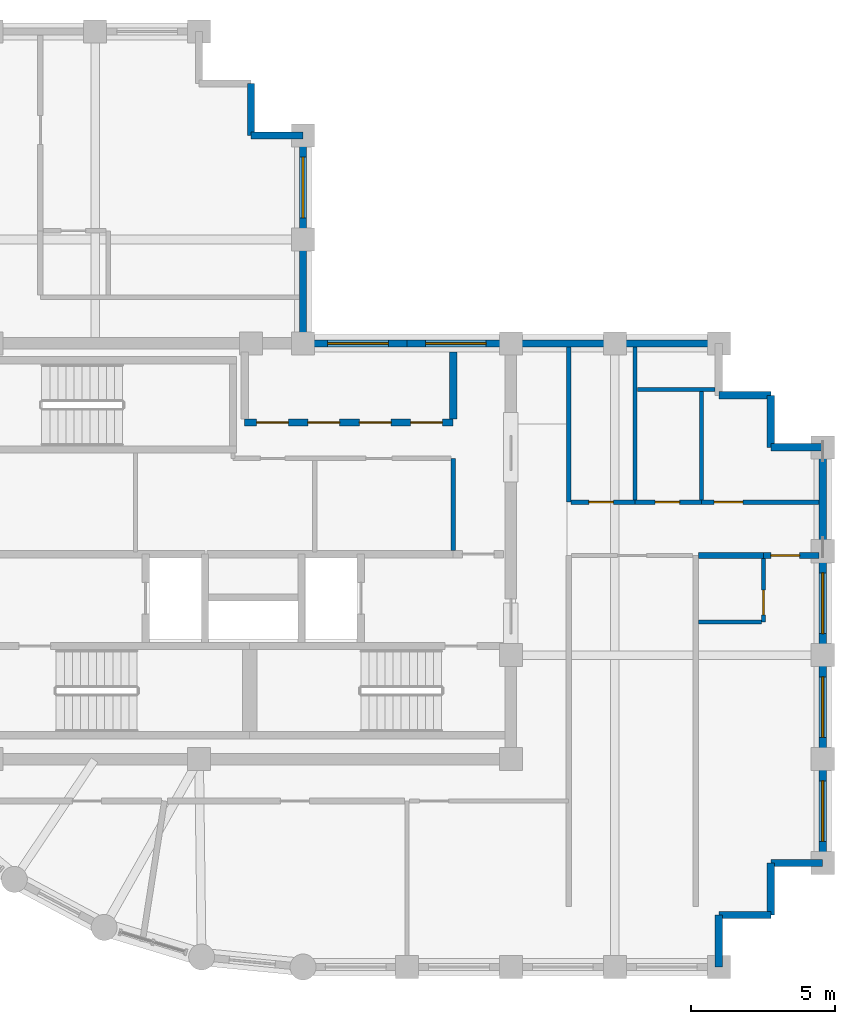
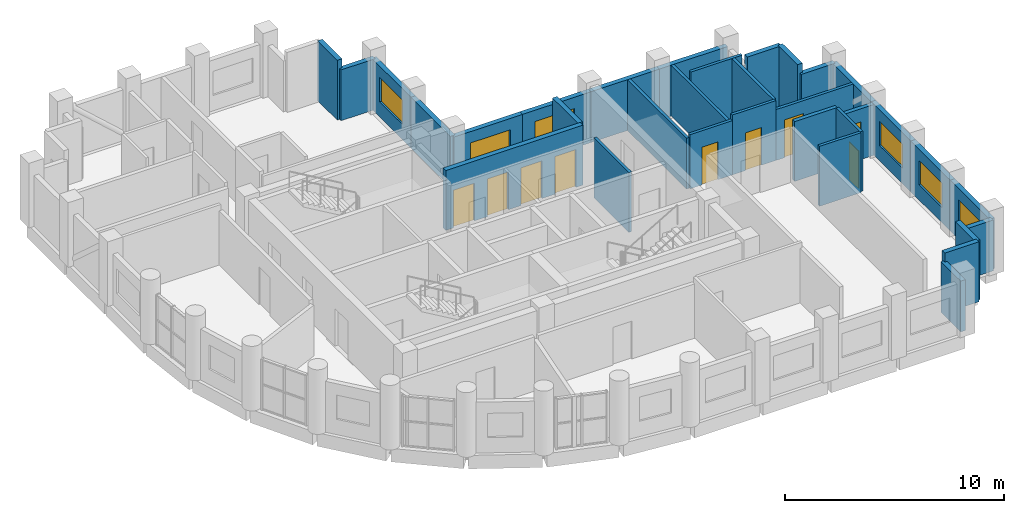
# One storey, part 9 of 11: 33 walls, 9 doors, 6 windows, 15 openings.
"""IFC4 building model written with IfcOpenShell, lengths in metres."""

import ifcopenshell
import ifcopenshell.guid

model = None  # the IFC model being written
_history = None  # IfcOwnerHistory: only IFC2X3 demands one
_inside = {}  # id of a spatial element -> (the spatial element, [elements in it])
_under = {}  # id of a project, library or spatial element -> (it, [spatial elements below it])
_declared = {}  # id of a project -> (the project, [libraries it declares])
_typed = {}  # id of a type object -> (the type object, [elements of that type])
_made_of = {}  # id of a material, layer set ... -> (it, [elements and type objects made of it])


def new_model(schema):
    """Start an empty IFC model of exactly this schema.

    Asked for "IFC4X3", IfcOpenShell would pick the latest addendum, in which some entities
    have other attributes; the version numbers below select the first issue.
    IFC2X3 requires an IfcOwnerHistory on every rooted entity: one is made here for all.
    """
    global model, _history
    if schema == "IFC4X3":
        model = ifcopenshell.file(schema_version=(4, 3, 0, 0))
    else:
        model = ifcopenshell.file(schema=schema)
    _inside.clear()
    _under.clear()
    _declared.clear()
    _typed.clear()
    _made_of.clear()
    _history = None
    if model.schema == "IFC2X3":
        org = make("IfcOrganization", Name="unknown")
        user = make(
            "IfcPersonAndOrganization",
            ThePerson=make("IfcPerson", FamilyName="unknown"),
            TheOrganization=org,
        )
        app = make(
            "IfcApplication",
            ApplicationDeveloper=org,
            Version="unknown",
            ApplicationFullName="unknown",
            ApplicationIdentifier="unknown",
        )
        _history = make(
            "IfcOwnerHistory",
            OwningUser=user,
            OwningApplication=app,
            ChangeAction="ADDED",
            CreationDate=0,
        )
    return model


def make(cls, **values):
    """One entity of the class cls with the attributes given. An attribute that is None is left unset."""
    return model.create_entity(
        cls, **{name: value for name, value in values.items() if value is not None}
    )


def rooted(cls, **values):
    """An entity with a GlobalId (a new one), such as an element, a storey or a relation."""
    return make(cls, GlobalId=ifcopenshell.guid.new(), OwnerHistory=_history, **values)


def si_unit(unit_type, name, prefix=None):
    """IfcSIUnit, for example si_unit("LENGTHUNIT", "METRE", prefix="MILLI")."""
    return make("IfcSIUnit", UnitType=unit_type, Prefix=prefix, Name=name)


def assignment(units):
    """IfcUnitAssignment: the units of a project."""
    return None if units is None else make("IfcUnitAssignment", Units=units)


def point(xyz):
    """IfcCartesianPoint."""
    return None if xyz is None else make("IfcCartesianPoint", Coordinates=xyz)


def direction(xyz):
    """IfcDirection."""
    return None if xyz is None else make("IfcDirection", DirectionRatios=xyz)


def frame(location, z_axis=None, x_axis=None):
    """IfcAxis2Placement3D, a coordinate frame: its origin and axes. An axis left out is left unset."""
    return make(
        "IfcAxis2Placement3D",
        Location=point(location),
        Axis=direction(z_axis),
        RefDirection=direction(x_axis),
    )


def frame_2d(location, x_axis=None):
    """IfcAxis2Placement2D, a coordinate frame in the plane: its origin and x axis."""
    return make(
        "IfcAxis2Placement2D", Location=point(location), RefDirection=direction(x_axis)
    )


def origin():
    """The frame at (0, 0, 0) with its axes left unset."""
    return frame((0.0, 0.0, 0.0))


def place(relative_to, where):
    """IfcLocalPlacement: puts the frame where relative to a parent placement (None: the world)."""
    return make(
        "IfcLocalPlacement", PlacementRelTo=relative_to, RelativePlacement=where
    )


def context(
    kind, dimensions, precision=None, world=None, true_north=None, identifier=None
):
    """IfcGeometricRepresentationContext, for example the 3D "Model" context."""
    return make(
        "IfcGeometricRepresentationContext",
        ContextIdentifier=identifier,
        ContextType=kind,
        CoordinateSpaceDimension=dimensions,
        Precision=precision,
        WorldCoordinateSystem=world,
        TrueNorth=true_north,
    )


def subcontext(parent, identifier, kind, view, scale=None):
    """IfcGeometricRepresentationSubContext, for example "Body" below "Model"."""
    return make(
        "IfcGeometricRepresentationSubContext",
        ContextIdentifier=identifier,
        ContextType=kind,
        ParentContext=parent,
        TargetScale=scale,
        TargetView=view,
    )


def project(units=None, contexts=None):
    """IfcProject with its units and contexts."""
    return rooted(
        "IfcProject",
        Name="project",
        RepresentationContexts=contexts,
        UnitsInContext=assignment(units),
    )


def spatial(cls, under=None, at=None, **own):
    """A site, building, storey or space (cls), placed at a placement, below another one or the project."""
    s = rooted(cls, ObjectPlacement=at, **own)
    if under is not None:
        _under.setdefault(under.id(), (under, []))[1].append(s)
    return s


def profile(cls, at=None, kind="AREA", **sizes):
    """A parametric profile (cls). Its sizes go by their IFC names, for example OverallWidth=200.0."""
    return make(cls, ProfileType=kind, Position=at, **sizes)


def rectangle(**sizes):
    """IfcRectangleProfileDef."""
    return profile("IfcRectangleProfileDef", **sizes)


def extrude(swept, where, along, depth):
    """IfcExtrudedAreaSolid: the profile swept, set in the frame where, extruded along a direction by depth."""
    return make(
        "IfcExtrudedAreaSolid",
        SweptArea=swept,
        Position=where,
        ExtrudedDirection=direction(along),
        Depth=depth,
    )


def shape(context_of_items, identifier, shape_type, items):
    """IfcShapeRepresentation: the items that make up one representation, for example the "Body"."""
    return make(
        "IfcShapeRepresentation",
        ContextOfItems=context_of_items,
        RepresentationIdentifier=identifier,
        RepresentationType=shape_type,
        Items=items,
    )


def material(Name=None, Category=None):
    """IfcMaterial."""
    return make("IfcMaterial", Name=Name, Category=Category)


def layer(
    of_material, thickness, ventilated=None, Name=None, Category=None, Priority=None
):
    """IfcMaterialLayer: one layer of a wall or slab, of a material (None: an air gap)."""
    return make(
        "IfcMaterialLayer",
        Material=of_material,
        LayerThickness=thickness,
        IsVentilated=ventilated,
        Name=Name,
        Category=Category,
        Priority=Priority,
    )


def layer_set(layers, Name=None):
    """IfcMaterialLayerSet."""
    return make("IfcMaterialLayerSet", MaterialLayers=layers, LayerSetName=Name)


def made_of(thing, what):
    """Note that an element or type object is made of a material, layer set ...; save() writes the relation."""
    if what is not None:
        _made_of.setdefault(what.id(), (what, []))[1].append(thing)
    return thing


def type_object(cls, material=None, **own):
    """A type object (cls), such as IfcWallType, which elements share."""
    return made_of(rooted(cls, **own), material)


def element(
    cls,
    number,
    at=None,
    inside=None,
    cuts=None,
    type_object=None,
    material=None,
    context=None,
    identifier="Body",
    shape_type=None,
    held_by="IfcProductDefinitionShape",
    body=None,
    shapes=None,
    **own,
):
    """One element of the class cls, such as IfcWall. Its Tag is "e" and its number.

    at: its placement. inside: the storey or other place that contains it. cuts: it is an
    opening in that element (IfcRelVoidsElement). A single representation is given by context,
    identifier, shape_type and body (its items); several are given by shapes. held_by: the class
    of the entity that holds the representations. save() writes the other relations.
    """
    e = rooted(cls, Tag="e%d" % number, ObjectPlacement=at, **own)
    if body is not None:
        shapes = [shape(context, identifier, shape_type, body)]
    if shapes is not None:
        e.Representation = make(held_by, Representations=shapes)
    if inside is not None:
        _inside.setdefault(inside.id(), (inside, []))[1].append(e)
    if cuts is not None:
        rooted(
            "IfcRelVoidsElement", RelatingBuildingElement=cuts, RelatedOpeningElement=e
        )
    if type_object is not None:
        _typed.setdefault(type_object.id(), (type_object, []))[1].append(e)
    return made_of(e, material)


def fill(opening, filler):
    """IfcRelFillsElement: the door or window that sits in an opening."""
    return rooted(
        "IfcRelFillsElement",
        RelatingOpeningElement=opening,
        RelatedBuildingElement=filler,
    )


def aggregate(whole, parts):
    """IfcRelAggregates: a whole, such as a stair, and the parts it consists of."""
    return rooted("IfcRelAggregates", RelatingObject=whole, RelatedObjects=parts)


def save(model, path):
    """Write the relations noted so far, then the file.

    IfcRelAggregates (storeys below a building ...), IfcRelContainedInSpatialStructure (elements
    in a storey), IfcRelDefinesByType, IfcRelAssociatesMaterial and IfcRelDeclares: one each for
    every whole, place, type object, material and project.
    """
    for whole, parts in _under.values():
        aggregate(whole, parts)
    for where, things in _inside.values():
        rooted(
            "IfcRelContainedInSpatialStructure",
            RelatedElements=things,
            RelatingStructure=where,
        )
    for kind, things in _typed.values():
        rooted("IfcRelDefinesByType", RelatedObjects=things, RelatingType=kind)
    for what, things in _made_of.values():
        rooted("IfcRelAssociatesMaterial", RelatedObjects=things, RelatingMaterial=what)
    for by, libraries in _declared.values():
        rooted("IfcRelDeclares", RelatingContext=by, RelatedDefinitions=libraries)
    model.write(path)


model = new_model("IFC4")

# Units and contexts
model_context = context("Model", 3, precision=1e-05, world=origin(), true_north=direction((0.0, 1.0)))
body_context = subcontext(model_context, "Body", "Model", "MODEL_VIEW")
ifc_project = project(units=[si_unit("LENGTHUNIT", "METRE"), si_unit("AREAUNIT", "SQUARE_METRE"), si_unit("VOLUMEUNIT", "CUBIC_METRE"), si_unit("PLANEANGLEUNIT", "RADIAN"), si_unit("MASSUNIT", "GRAM", prefix="KILO")], contexts=[model_context])

# Site, building, storey
site_placement = place(None, origin())
site = spatial("IfcSite", under=ifc_project, at=site_placement, CompositionType="ELEMENT")
building_placement = place(site_placement, origin())
building = spatial("IfcBuilding", under=site, at=building_placement, Name="Solnavia Interchange Tower", CompositionType="ELEMENT")
storey_placement = place(building_placement, frame((0.0, 0.0, 239.0)))
storey = spatial("IfcBuildingStorey", under=building, at=storey_placement, Name="L60", CompositionType="ELEMENT", Elevation=239.0)

# Wall
ifc_material_1 = material(Name="Gypsum Acoustic Twin-Stud & Mineral Wool", Category="gypsum")
ifc_layer_1 = layer(ifc_material_1, 0.199951171875)
ifc_layer_set_1 = layer_set([ifc_layer_1], Name="Gypsum Acoustic Twin-Stud & Mineral Wool")
wall_type_1 = type_object("IfcWallType", Name="Wall-ApartmentParty-200", PredefinedType="PARTITIONING", material=ifc_layer_set_1)
wall_1_placement = place(storey_placement, frame((38.904052734375, 17.85009765625, 0.0), z_axis=(0.0, 0.0, 1.0), x_axis=(1.0, 0.0, 0.0)))
element("IfcWall", 1, at=wall_1_placement, inside=storey, type_object=wall_type_1, Name="PTW-L60-20 Interior partition wall", PredefinedType="PARTITIONING", context=body_context, shape_type="SweptSolid", body=[
    extrude(rectangle(XDim=2.245849609375, YDim=0.199951171875, at=frame_2d((1.123046875, 0.0))), origin(), (0.0, 0.0, 1.0), 3.3349609375),
])

# Wall, opening, door
wall_2_placement = place(storey_placement, frame((41.14990234375, 17.85009765625, 0.0), z_axis=(0.0, 0.0, 1.0), x_axis=(1.0, 0.0, 0.0)))
wall_2 = element("IfcWall", 2, at=wall_2_placement, inside=storey, type_object=wall_type_1, Name="PTW-L60-21 Interior partition wall", PredefinedType="PARTITIONING", context=body_context, shape_type="SweptSolid", body=[
    extrude(rectangle(XDim=1.921142578125, YDim=0.199951171875, at=frame_2d((0.96044921875, 0.0))), origin(), (0.0, 0.0, 1.0), 2.830078125),
])
opening_1_placement = place(wall_2_placement, frame((0.25, 0.0, 0.0)))
opening_1 = element("IfcOpeningElement", 3, at=opening_1_placement, cuts=wall_2, Name="Opening DR-06", PredefinedType="OPENING", context=body_context, shape_type="SweptSolid", body=[
    extrude(rectangle(XDim=1.0, YDim=2.10009765625, at=frame_2d((0.5, 1.050048828125))), frame((0.0, 0.10986328125, 0.0), z_axis=(0.0, -1.0, 0.0), x_axis=(1.0, 0.0, 0.0)), (0.0, 0.0, 1.0), 0.219970703125),
])
ifc_material_2 = material(Name="Engineered Timber Acoustic Fire Door", Category="wood")
door_type_1 = type_object("IfcDoorType", Name="Door-FlatEntry-1000x2100", OperationType="SINGLE_SWING_LEFT", PredefinedType="DOOR", material=ifc_material_2)
door_1_placement = place(opening_1_placement, origin())
door_1 = element("IfcDoor", 4, at=door_1_placement, inside=storey, type_object=door_type_1, Name="DR-L60-09 Interior room door", OperationType="SINGLE_SWING_LEFT", OverallHeight=2.10009765625, OverallWidth=1.0, PredefinedType="DOOR", context=body_context, shape_type="SweptSolid", body=[
    extrude(rectangle(XDim=1.0, YDim=2.10009765625, at=frame_2d((0.5, 1.050048828125))), frame((0.0, 0.02490234375, 0.0), z_axis=(0.0, -1.0, 0.0), x_axis=(1.0, 0.0, 0.0)), (0.0, 0.0, 1.0), 0.050048828125),
])
fill(opening_1, door_1)

# Walls
ifc_material_3 = material(Name="Concrete C40/50", Category="concrete")
ifc_layer_2 = layer(ifc_material_3, 0.25)
ifc_layer_set_2 = layer_set([ifc_layer_2], Name="Concrete C40/50")
wall_type_2 = type_object("IfcWallType", Name="Wall-ExtSpandrel-250", PredefinedType="STANDARD", material=ifc_layer_set_2)
wall_3_placement = place(storey_placement, frame((39.60009765625, 5.39990234375, 0.0), z_axis=(0.0, 0.0, 1.0), x_axis=(0.0, -1.0, 0.0)))
element("IfcWall", 5, at=wall_3_placement, inside=storey, type_object=wall_type_2, Name="EXW-L60-05 Exterior precast spandrel wall", PredefinedType="STANDARD", context=body_context, shape_type="SweptSolid", body=[
    extrude(rectangle(XDim=1.7998046875, YDim=0.25, at=frame_2d((0.89990234375, 0.0))), origin(), (0.0, 0.0, 1.0), 2.830078125),
])
wall_4_placement = place(storey_placement, frame((41.39990234375, 5.39990234375, 0.0), z_axis=(0.0, 0.0, 1.0), x_axis=(-1.0, 0.0, 0.0)))
element("IfcWall", 6, at=wall_4_placement, inside=storey, type_object=wall_type_2, Name="EXW-L60-06 Exterior precast spandrel wall", PredefinedType="STANDARD", context=body_context, shape_type="SweptSolid", body=[
    extrude(rectangle(XDim=1.7998046875, YDim=0.25, at=frame_2d((0.89990234375, 0.0))), origin(), (0.0, 0.0, 1.0), 3.3349609375),
])
wall_5_placement = place(storey_placement, frame((41.39990234375, 7.199951171875, 0.0), z_axis=(0.0, 0.0, 1.0), x_axis=(0.0, -1.0, 0.0)))
element("IfcWall", 7, at=wall_5_placement, inside=storey, type_object=wall_type_2, Name="EXW-L60-07 Exterior precast spandrel wall", PredefinedType="STANDARD", context=body_context, shape_type="SweptSolid", body=[
    extrude(rectangle(XDim=1.800048828125, YDim=0.25, at=frame_2d((0.89990234375, 0.0))), origin(), (0.0, 0.0, 1.0), 3.3349609375),
])
wall_6_placement = place(storey_placement, frame((43.199951171875, 7.199951171875, 0.0), z_axis=(0.0, 0.0, 1.0), x_axis=(-1.0, 0.0, 0.0)))
element("IfcWall", 8, at=wall_6_placement, inside=storey, type_object=wall_type_2, Name="EXW-L60-08 Exterior precast spandrel wall", PredefinedType="STANDARD", context=body_context, shape_type="SweptSolid", body=[
    extrude(rectangle(XDim=1.800048828125, YDim=0.25, at=frame_2d((0.89990234375, 0.0))), origin(), (0.0, 0.0, 1.0), 2.830078125),
])

# Wall, opening, window
wall_7_placement = place(storey_placement, frame((43.199951171875, 10.800048828125, 0.0), z_axis=(0.0, 0.0, 1.0), x_axis=(0.0, -1.0, 0.0)))
wall_7 = element("IfcWall", 9, at=wall_7_placement, inside=storey, type_object=wall_type_2, Name="EXW-L60-09 Exterior precast spandrel wall", PredefinedType="STANDARD", context=body_context, shape_type="SweptSolid", body=[
    extrude(rectangle(XDim=3.60009765625, YDim=0.25, at=frame_2d((1.800048828125, 0.0))), origin(), (0.0, 0.0, 1.0), 2.830078125),
])
opening_2_placement = place(wall_7_placement, frame((0.75, 0.0, 0.85009765625)))
opening_2 = element("IfcOpeningElement", 10, at=opening_2_placement, cuts=wall_7, Name="Opening WIN-01", PredefinedType="OPENING", context=body_context, shape_type="SweptSolid", body=[
    extrude(rectangle(XDim=2.10009765625, YDim=1.35009765625, at=frame_2d((1.050048828125, 0.675048828125))), frame((0.0, 0.135009765625, 0.0), z_axis=(0.0, -1.0, 0.0), x_axis=(1.0, 0.0, 0.0)), (0.0, 0.0, 1.0), 0.27001953125),
])
ifc_material_4 = material(Name="Thermal-Break Aluminium & Low-E Glass", Category="aluminium")
window_type = type_object("IfcWindowType", Name="Window-Ribbon-2100x1350", PartitioningType="SINGLE_PANEL", PredefinedType="WINDOW", material=ifc_material_4)
window_1_placement = place(opening_2_placement, origin())
window_1 = element("IfcWindow", 11, at=window_1_placement, inside=storey, type_object=window_type, Name="WIN-L60-09 Facade ribbon window", OverallHeight=1.35009765625, OverallWidth=2.10009765625, PartitioningType="SINGLE_PANEL", PredefinedType="WINDOW", context=body_context, shape_type="SweptSolid", body=[
    extrude(rectangle(XDim=2.10009765625, YDim=1.35009765625, at=frame_2d((1.050048828125, 0.675048828125))), frame((0.0, 0.030029296875, 0.0), z_axis=(0.0, -1.0, 0.0), x_axis=(1.0, 0.0, 0.0)), (0.0, 0.0, 1.0), 0.06005859375),
])
fill(opening_2, window_1)

wall_8_placement = place(storey_placement, frame((43.199951171875, 14.39990234375, 0.0), z_axis=(0.0, 0.0, 1.0), x_axis=(0.0, -1.0, 0.0)))
wall_8 = element("IfcWall", 12, at=wall_8_placement, inside=storey, type_object=wall_type_2, Name="EXW-L60-10 Exterior precast spandrel wall", PredefinedType="STANDARD", context=body_context, shape_type="SweptSolid", body=[
    extrude(rectangle(XDim=3.599853515625, YDim=0.25, at=frame_2d((1.7998046875, 0.0))), origin(), (0.0, 0.0, 1.0), 2.830078125),
])
opening_3_placement = place(wall_8_placement, frame((0.75, 0.0, 0.85009765625)))
opening_3 = element("IfcOpeningElement", 13, at=opening_3_placement, cuts=wall_8, Name="Opening WIN-01", PredefinedType="OPENING", context=body_context, shape_type="SweptSolid", body=[
    extrude(rectangle(XDim=2.10009765625, YDim=1.35009765625, at=frame_2d((1.050048828125, 0.675048828125))), frame((0.0, 0.135009765625, 0.0), z_axis=(0.0, -1.0, 0.0), x_axis=(1.0, 0.0, 0.0)), (0.0, 0.0, 1.0), 0.27001953125),
])
window_2_placement = place(opening_3_placement, origin())
window_2 = element("IfcWindow", 14, at=window_2_placement, inside=storey, type_object=window_type, Name="WIN-L60-10 Facade ribbon window", OverallHeight=1.35009765625, OverallWidth=2.10009765625, PartitioningType="SINGLE_PANEL", PredefinedType="WINDOW", context=body_context, shape_type="SweptSolid", body=[
    extrude(rectangle(XDim=2.10009765625, YDim=1.35009765625, at=frame_2d((1.050048828125, 0.675048828125))), frame((0.0, 0.030029296875, 0.0), z_axis=(0.0, -1.0, 0.0), x_axis=(1.0, 0.0, 0.0)), (0.0, 0.0, 1.0), 0.06005859375),
])
fill(opening_3, window_2)

wall_9_placement = place(storey_placement, frame((43.199951171875, 18.0, 0.0), z_axis=(0.0, 0.0, 1.0), x_axis=(0.0, -1.0, 0.0)))
wall_9 = element("IfcWall", 15, at=wall_9_placement, inside=storey, type_object=wall_type_2, Name="EXW-L60-11 Exterior precast spandrel wall", PredefinedType="STANDARD", context=body_context, shape_type="SweptSolid", body=[
    extrude(rectangle(XDim=3.60009765625, YDim=0.25, at=frame_2d((1.800048828125, 0.0))), origin(), (0.0, 0.0, 1.0), 2.830078125),
])
opening_4_placement = place(wall_9_placement, frame((0.75, 0.0, 0.85009765625)))
opening_4 = element("IfcOpeningElement", 16, at=opening_4_placement, cuts=wall_9, Name="Opening WIN-01", PredefinedType="OPENING", context=body_context, shape_type="SweptSolid", body=[
    extrude(rectangle(XDim=2.10009765625, YDim=1.35009765625, at=frame_2d((1.050048828125, 0.675048828125))), frame((0.0, 0.135009765625, 0.0), z_axis=(0.0, -1.0, 0.0), x_axis=(1.0, 0.0, 0.0)), (0.0, 0.0, 1.0), 0.27001953125),
])
window_3_placement = place(opening_4_placement, origin())
window_3 = element("IfcWindow", 17, at=window_3_placement, inside=storey, type_object=window_type, Name="WIN-L60-11 Facade ribbon window", OverallHeight=1.35009765625, OverallWidth=2.10009765625, PartitioningType="SINGLE_PANEL", PredefinedType="WINDOW", context=body_context, shape_type="SweptSolid", body=[
    extrude(rectangle(XDim=2.10009765625, YDim=1.35009765625, at=frame_2d((1.050048828125, 0.675048828125))), frame((0.0, 0.030029296875, 0.0), z_axis=(0.0, -1.0, 0.0), x_axis=(1.0, 0.0, 0.0)), (0.0, 0.0, 1.0), 0.06005859375),
])
fill(opening_4, window_3)

# Walls
wall_10_placement = place(storey_placement, frame((43.199951171875, 21.60009765625, 0.0), z_axis=(0.0, 0.0, 1.0), x_axis=(0.0, -1.0, 0.0)))
element("IfcWall", 18, at=wall_10_placement, inside=storey, type_object=wall_type_2, Name="EXW-L60-12 Exterior precast spandrel wall", PredefinedType="STANDARD", context=body_context, shape_type="SweptSolid", body=[
    extrude(rectangle(XDim=3.60009765625, YDim=0.25, at=frame_2d((1.800048828125, 0.0))), origin(), (0.0, 0.0, 1.0), 2.830078125),
])
wall_11_placement = place(storey_placement, frame((41.39990234375, 21.60009765625, 0.0), z_axis=(0.0, 0.0, 1.0), x_axis=(1.0, 0.0, 0.0)))
element("IfcWall", 19, at=wall_11_placement, inside=storey, type_object=wall_type_2, Name="EXW-L60-13 Exterior precast spandrel wall", PredefinedType="STANDARD", context=body_context, shape_type="SweptSolid", body=[
    extrude(rectangle(XDim=1.800048828125, YDim=0.25, at=frame_2d((0.89990234375, 0.0))), origin(), (0.0, 0.0, 1.0), 2.830078125),
])
for number, where, z_axis, x_axis, name in (
    (20, (41.39990234375, 23.39990234375, 0.0), (0.0, 0.0, 1.0), (0.0, -1.0, 0.0), "EXW-L60-14 Exterior precast spandrel wall"),
    (21, (39.60009765625, 23.39990234375, 0.0), (0.0, 0.0, 1.0), (1.0, 0.0, 0.0), "EXW-L60-15 Exterior precast spandrel wall"),
):
    element("IfcWall", number, at=place(storey_placement, frame(where, z_axis=z_axis, x_axis=x_axis)), inside=storey, type_object=wall_type_2, Name=name, PredefinedType="STANDARD", context=body_context, shape_type="SweptSolid", body=[
        extrude(rectangle(XDim=1.7998046875, YDim=0.25, at=frame_2d((0.89990234375, 0.0))), origin(), (0.0, 0.0, 1.0), 3.3349609375),
    ])
for number, where, z_axis, x_axis, name in (
    (22, (36.0, 25.199951171875, 0.0), (0.0, 0.0, 1.0), (1.0, 0.0, 0.0), "EXW-L60-17 Exterior precast spandrel wall"),
    (23, (32.39990234375, 25.199951171875, 0.0), (0.0, 0.0, 1.0), (1.0, 0.0, 0.0), "EXW-L60-18 Exterior precast spandrel wall"),
):
    element("IfcWall", number, at=place(storey_placement, frame(where, z_axis=z_axis, x_axis=x_axis)), inside=storey, type_object=wall_type_2, Name=name, PredefinedType="STANDARD", context=body_context, shape_type="SweptSolid", body=[
        extrude(rectangle(XDim=3.60009765625, YDim=0.25, at=frame_2d((1.800048828125, 0.0))), origin(), (0.0, 0.0, 1.0), 2.830078125),
    ])

# Wall, opening, window
wall_12_placement = place(storey_placement, frame((28.800048828125, 25.199951171875, 0.0), z_axis=(0.0, 0.0, 1.0), x_axis=(1.0, 0.0, 0.0)))
wall_12 = element("IfcWall", 24, at=wall_12_placement, inside=storey, type_object=wall_type_2, Name="EXW-L60-19 Exterior precast spandrel wall", PredefinedType="STANDARD", context=body_context, shape_type="SweptSolid", body=[
    extrude(rectangle(XDim=3.599853515625, YDim=0.25, at=frame_2d((1.7998046875, 0.0))), origin(), (0.0, 0.0, 1.0), 2.830078125),
])
opening_5_placement = place(wall_12_placement, frame((0.64501953125, 0.0, 0.85009765625)))
opening_5 = element("IfcOpeningElement", 25, at=opening_5_placement, cuts=wall_12, Name="Opening WIN-01", PredefinedType="OPENING", context=body_context, shape_type="SweptSolid", body=[
    extrude(rectangle(XDim=2.10009765625, YDim=1.35009765625, at=frame_2d((1.050048828125, 0.675048828125))), frame((0.0, 0.135009765625, 0.0), z_axis=(0.0, -1.0, 0.0), x_axis=(1.0, 0.0, 0.0)), (0.0, 0.0, 1.0), 0.27001953125),
])
window_4_placement = place(opening_5_placement, origin())
window_4 = element("IfcWindow", 26, at=window_4_placement, inside=storey, type_object=window_type, Name="WIN-L60-19 Facade ribbon window", OverallHeight=1.35009765625, OverallWidth=2.10009765625, PartitioningType="SINGLE_PANEL", PredefinedType="WINDOW", context=body_context, shape_type="SweptSolid", body=[
    extrude(rectangle(XDim=2.10009765625, YDim=1.35009765625, at=frame_2d((1.050048828125, 0.675048828125))), frame((0.0, 0.030029296875, 0.0), z_axis=(0.0, -1.0, 0.0), x_axis=(1.0, 0.0, 0.0)), (0.0, 0.0, 1.0), 0.06005859375),
])
fill(opening_5, window_4)

wall_13_placement = place(storey_placement, frame((25.199951171875, 25.199951171875, 0.0), z_axis=(0.0, 0.0, 1.0), x_axis=(1.0, 0.0, 0.0)))
wall_13 = element("IfcWall", 27, at=wall_13_placement, inside=storey, type_object=wall_type_2, Name="EXW-L60-20 Exterior precast spandrel wall", PredefinedType="STANDARD", context=body_context, shape_type="SweptSolid", body=[
    extrude(rectangle(XDim=3.60009765625, YDim=0.25, at=frame_2d((1.800048828125, 0.0))), origin(), (0.0, 0.0, 1.0), 2.830078125),
])
opening_6_placement = place(wall_13_placement, frame((0.85498046875, 0.0, 0.85009765625)))
opening_6 = element("IfcOpeningElement", 28, at=opening_6_placement, cuts=wall_13, Name="Opening WIN-01", PredefinedType="OPENING", context=body_context, shape_type="SweptSolid", body=[
    extrude(rectangle(XDim=2.10009765625, YDim=1.35009765625, at=frame_2d((1.050048828125, 0.675048828125))), frame((0.0, 0.135009765625, 0.0), z_axis=(0.0, -1.0, 0.0), x_axis=(1.0, 0.0, 0.0)), (0.0, 0.0, 1.0), 0.27001953125),
])
window_5_placement = place(opening_6_placement, origin())
window_5 = element("IfcWindow", 29, at=window_5_placement, inside=storey, type_object=window_type, Name="WIN-L60-20 Facade ribbon window", OverallHeight=1.35009765625, OverallWidth=2.10009765625, PartitioningType="SINGLE_PANEL", PredefinedType="WINDOW", context=body_context, shape_type="SweptSolid", body=[
    extrude(rectangle(XDim=2.10009765625, YDim=1.35009765625, at=frame_2d((1.050048828125, 0.675048828125))), frame((0.0, 0.030029296875, 0.0), z_axis=(0.0, -1.0, 0.0), x_axis=(1.0, 0.0, 0.0)), (0.0, 0.0, 1.0), 0.06005859375),
])
fill(opening_6, window_5)

# Wall
wall_14_placement = place(storey_placement, frame((25.199951171875, 28.800048828125, 0.0), z_axis=(0.0, 0.0, 1.0), x_axis=(0.0, -1.0, 0.0)))
element("IfcWall", 30, at=wall_14_placement, inside=storey, type_object=wall_type_2, Name="EXW-L60-21 Exterior precast spandrel wall", PredefinedType="STANDARD", context=body_context, shape_type="SweptSolid", body=[
    extrude(rectangle(XDim=3.60009765625, YDim=0.25, at=frame_2d((1.800048828125, 0.0))), origin(), (0.0, 0.0, 1.0), 2.830078125),
])

# Wall, opening, window
wall_15_placement = place(storey_placement, frame((25.199951171875, 32.39990234375, 0.0), z_axis=(0.0, 0.0, 1.0), x_axis=(0.0, -1.0, 0.0)))
wall_15 = element("IfcWall", 31, at=wall_15_placement, inside=storey, type_object=wall_type_2, Name="EXW-L60-22 Exterior precast spandrel wall", PredefinedType="STANDARD", context=body_context, shape_type="SweptSolid", body=[
    extrude(rectangle(XDim=3.599853515625, YDim=0.25, at=frame_2d((1.7998046875, 0.0))), origin(), (0.0, 0.0, 1.0), 2.830078125),
])
opening_7_placement = place(wall_15_placement, frame((0.75, 0.0, 0.85009765625)))
opening_7 = element("IfcOpeningElement", 32, at=opening_7_placement, cuts=wall_15, Name="Opening WIN-01", PredefinedType="OPENING", context=body_context, shape_type="SweptSolid", body=[
    extrude(rectangle(XDim=2.10009765625, YDim=1.35009765625, at=frame_2d((1.050048828125, 0.675048828125))), frame((0.0, 0.135009765625, 0.0), z_axis=(0.0, -1.0, 0.0), x_axis=(1.0, 0.0, 0.0)), (0.0, 0.0, 1.0), 0.27001953125),
])
window_6_placement = place(opening_7_placement, origin())
window_6 = element("IfcWindow", 33, at=window_6_placement, inside=storey, type_object=window_type, Name="WIN-L60-22 Facade ribbon window", OverallHeight=1.35009765625, OverallWidth=2.10009765625, PartitioningType="SINGLE_PANEL", PredefinedType="WINDOW", context=body_context, shape_type="SweptSolid", body=[
    extrude(rectangle(XDim=2.10009765625, YDim=1.35009765625, at=frame_2d((1.050048828125, 0.675048828125))), frame((0.0, 0.030029296875, 0.0), z_axis=(0.0, -1.0, 0.0), x_axis=(1.0, 0.0, 0.0)), (0.0, 0.0, 1.0), 0.06005859375),
])
fill(opening_7, window_6)

# Walls
wall_16_placement = place(storey_placement, frame((23.39990234375, 32.39990234375, 0.0), z_axis=(0.0, 0.0, 1.0), x_axis=(1.0, 0.0, 0.0)))
element("IfcWall", 34, at=wall_16_placement, inside=storey, type_object=wall_type_2, Name="EXW-L60-23 Exterior precast spandrel wall", PredefinedType="STANDARD", context=body_context, shape_type="SweptSolid", body=[
    extrude(rectangle(XDim=1.800048828125, YDim=0.25, at=frame_2d((0.89990234375, 0.0))), origin(), (0.0, 0.0, 1.0), 2.830078125),
])
wall_17_placement = place(storey_placement, frame((23.39990234375, 32.39990234375, 0.0), z_axis=(0.0, 0.0, 1.0), x_axis=(0.0, 1.0, 0.0)))
element("IfcWall", 35, at=wall_17_placement, inside=storey, type_object=wall_type_2, Name="EXW-L60-24 Exterior precast spandrel wall", PredefinedType="STANDARD", context=body_context, shape_type="SweptSolid", body=[
    extrude(rectangle(XDim=1.800048828125, YDim=0.25, at=frame_2d((0.89990234375, 0.0))), origin(), (0.0, 0.0, 1.0), 3.3349609375),
])
ifc_material_5 = material(Name="Gypsum Plasterboard & Steel Stud", Category="steel")
ifc_layer_3 = layer(ifc_material_5, 0.14990234375)
ifc_layer_set_3 = layer_set([ifc_layer_3], Name="Gypsum Plasterboard & Steel Stud")
wall_type_3 = type_object("IfcWallType", Name="Wall-Partition-150", PredefinedType="PARTITIONING", material=ifc_layer_set_3)
wall_18_placement = place(storey_placement, frame((30.39990234375, 18.02001953125, 0.0), z_axis=(0.0, 0.0, 1.0), x_axis=(0.0, 1.0, 0.0)))
element("IfcWall", 36, at=wall_18_placement, inside=storey, type_object=wall_type_3, Name="CSW-L60-E-E Core shaft wall", PredefinedType="PARTITIONING", context=body_context, shape_type="SweptSolid", body=[
    extrude(rectangle(XDim=3.199951171875, YDim=0.14990234375, at=frame_2d((1.60009765625, 0.0))), origin(), (0.0, 0.0, 1.0), 3.3349609375),
])

# Wall, opening, door
wall_19_placement = place(storey_placement, frame((39.0, 19.699951171875, 0.0), z_axis=(0.0, 0.0, 1.0), x_axis=(1.0, 0.0, 0.0)))
wall_19 = element("IfcWall", 37, at=wall_19_placement, inside=storey, type_object=wall_type_3, Name="PTW-L60-24 Interior partition wall", PredefinedType="PARTITIONING", context=body_context, shape_type="SweptSolid", body=[
    extrude(rectangle(XDim=4.071044921875, YDim=0.14990234375, at=frame_2d((2.03564453125, 0.0))), origin(), (0.0, 0.0, 1.0), 2.830078125),
])
opening_8_placement = place(wall_19_placement, frame((0.43798828125, 0.0, 0.0)))
opening_8 = element("IfcOpeningElement", 38, at=opening_8_placement, cuts=wall_19, Name="Opening DR-07", PredefinedType="OPENING", context=body_context, shape_type="SweptSolid", body=[
    extrude(rectangle(XDim=1.0, YDim=2.10009765625, at=frame_2d((0.5, 1.050048828125))), frame((0.0, 0.0849609375, 0.0), z_axis=(0.0, -1.0, 0.0), x_axis=(1.0, 0.0, 0.0)), (0.0, 0.0, 1.0), 0.169921875),
])
ifc_material_6 = material(Name="Timber & Acoustic Glazed Office Door", Category="wood")
door_type_2 = type_object("IfcDoorType", Name="Door-Office-1000x2100", OperationType="SINGLE_SWING_RIGHT", PredefinedType="DOOR", material=ifc_material_6)
door_2_placement = place(opening_8_placement, origin())
door_2 = element("IfcDoor", 39, at=door_2_placement, inside=storey, type_object=door_type_2, Name="DR-L60-11 Interior room door", OperationType="SINGLE_SWING_RIGHT", OverallHeight=2.10009765625, OverallWidth=1.0, PredefinedType="DOOR", context=body_context, shape_type="SweptSolid", body=[
    extrude(rectangle(XDim=1.0, YDim=2.10009765625, at=frame_2d((0.5, 1.050048828125))), frame((0.0, 0.02490234375, 0.0), z_axis=(0.0, -1.0, 0.0), x_axis=(1.0, 0.0, 0.0)), (0.0, 0.0, 1.0), 0.050048828125),
])
fill(opening_8, door_2)

# Wall, openings, doors
ifc_layer_4 = layer(ifc_material_3, 0.25)
ifc_layer_set_4 = layer_set([ifc_layer_4], Name="Concrete C40/50")
wall_type_4 = type_object("IfcWallType", Name="Wall-ShaftPart-250", PredefinedType="PARTITIONING", material=ifc_layer_set_4)
wall_20_placement = place(storey_placement, frame((23.179931640625, 22.4599609375, 0.0), z_axis=(0.0, 0.0, 1.0), x_axis=(1.0, 0.0, 0.0)))
wall_20 = element("IfcWall", 40, at=wall_20_placement, inside=storey, type_object=wall_type_4, Name="SHW-L60-B3S Core shaft wall", PredefinedType="PARTITIONING", context=body_context, shape_type="SweptSolid", body=[
    extrude(rectangle(XDim=7.219970703125, YDim=0.25, at=frame_2d((3.60986328125, 0.0))), origin(), (0.0, 0.0, 1.0), 3.3349609375),
])
opening_9_placement = place(wall_20_placement, frame((0.409912109375, 0.0, 0.0)))
opening_9 = element("IfcOpeningElement", 41, at=opening_9_placement, cuts=wall_20, Name="Opening LD-01", PredefinedType="OPENING", context=body_context, shape_type="SweptSolid", body=[
    extrude(rectangle(XDim=1.10009765625, YDim=2.10009765625, at=frame_2d((0.550048828125, 1.050048828125))), frame((0.0, 0.135009765625, 0.0), z_axis=(0.0, -1.0, 0.0), x_axis=(1.0, 0.0, 0.0)), (0.0, 0.0, 1.0), 0.27001953125),
])
opening_10_placement = place(wall_20_placement, frame((2.18994140625, 0.0, 0.0)))
opening_10 = element("IfcOpeningElement", 42, at=opening_10_placement, cuts=wall_20, Name="Opening LD-01", PredefinedType="OPENING", context=body_context, shape_type="SweptSolid", body=[
    extrude(rectangle(XDim=1.10009765625, YDim=2.10009765625, at=frame_2d((0.550048828125, 1.050048828125))), frame((0.0, 0.135009765625, 0.0), z_axis=(0.0, -1.0, 0.0), x_axis=(1.0, 0.0, 0.0)), (0.0, 0.0, 1.0), 0.27001953125),
])
opening_11_placement = place(wall_20_placement, frame((3.969970703125, 0.0, 0.0)))
opening_11 = element("IfcOpeningElement", 43, at=opening_11_placement, cuts=wall_20, Name="Opening LD-01", PredefinedType="OPENING", context=body_context, shape_type="SweptSolid", body=[
    extrude(rectangle(XDim=1.10009765625, YDim=2.10009765625, at=frame_2d((0.550048828125, 1.050048828125))), frame((0.0, 0.135009765625, 0.0), z_axis=(0.0, -1.0, 0.0), x_axis=(1.0, 0.0, 0.0)), (0.0, 0.0, 1.0), 0.27001953125),
])
opening_12_placement = place(wall_20_placement, frame((5.75, 0.0, 0.0)))
opening_12 = element("IfcOpeningElement", 44, at=opening_12_placement, cuts=wall_20, Name="Opening LD-01", PredefinedType="OPENING", context=body_context, shape_type="SweptSolid", body=[
    extrude(rectangle(XDim=1.10009765625, YDim=2.10009765625, at=frame_2d((0.550048828125, 1.050048828125))), frame((0.0, 0.135009765625, 0.0), z_axis=(0.0, -1.0, 0.0), x_axis=(1.0, 0.0, 0.0)), (0.0, 0.0, 1.0), 0.27001953125),
])
ifc_material_7 = material(Name="Brushed Stainless Steel Sliding Door", Category="steel")
door_type_3 = type_object("IfcDoorType", Name="Door-LiftLanding-1100x2100", OperationType="SLIDING_TO_LEFT", PredefinedType="DOOR", material=ifc_material_7)
door_3_placement = place(opening_9_placement, origin())
door_3 = element("IfcDoor", 45, at=door_3_placement, inside=storey, type_object=door_type_3, Name="LD-L60-B3-1 Lift landing sliding door", OperationType="SLIDING_TO_LEFT", OverallHeight=2.10009765625, OverallWidth=1.10009765625, PredefinedType="DOOR", context=body_context, shape_type="SweptSolid", body=[
    extrude(rectangle(XDim=1.10009765625, YDim=2.10009765625, at=frame_2d((0.550048828125, 1.050048828125))), frame((0.0, 0.02490234375, 0.0), z_axis=(0.0, -1.0, 0.0), x_axis=(1.0, 0.0, 0.0)), (0.0, 0.0, 1.0), 0.050048828125),
])
fill(opening_9, door_3)
door_4_placement = place(opening_10_placement, origin())
door_4 = element("IfcDoor", 46, at=door_4_placement, inside=storey, type_object=door_type_3, Name="LD-L60-B3-2 Lift landing sliding door", OperationType="SLIDING_TO_LEFT", OverallHeight=2.10009765625, OverallWidth=1.10009765625, PredefinedType="DOOR", context=body_context, shape_type="SweptSolid", body=[
    extrude(rectangle(XDim=1.10009765625, YDim=2.10009765625, at=frame_2d((0.550048828125, 1.050048828125))), frame((0.0, 0.02490234375, 0.0), z_axis=(0.0, -1.0, 0.0), x_axis=(1.0, 0.0, 0.0)), (0.0, 0.0, 1.0), 0.050048828125),
])
fill(opening_10, door_4)
door_5_placement = place(opening_11_placement, origin())
door_5 = element("IfcDoor", 47, at=door_5_placement, inside=storey, type_object=door_type_3, Name="LD-L60-B3-3 Lift landing sliding door", OperationType="SLIDING_TO_LEFT", OverallHeight=2.10009765625, OverallWidth=1.10009765625, PredefinedType="DOOR", context=body_context, shape_type="SweptSolid", body=[
    extrude(rectangle(XDim=1.10009765625, YDim=2.10009765625, at=frame_2d((0.550048828125, 1.050048828125))), frame((0.0, 0.02490234375, 0.0), z_axis=(0.0, -1.0, 0.0), x_axis=(1.0, 0.0, 0.0)), (0.0, 0.0, 1.0), 0.050048828125),
])
fill(opening_11, door_5)
door_6_placement = place(opening_12_placement, origin())
door_6 = element("IfcDoor", 48, at=door_6_placement, inside=storey, type_object=door_type_3, Name="LD-L60-B3-4 Lift landing sliding door", OperationType="SLIDING_TO_LEFT", OverallHeight=2.10009765625, OverallWidth=1.10009765625, PredefinedType="DOOR", context=body_context, shape_type="SweptSolid", body=[
    extrude(rectangle(XDim=1.10009765625, YDim=2.10009765625, at=frame_2d((0.550048828125, 1.050048828125))), frame((0.0, 0.02490234375, 0.0), z_axis=(0.0, -1.0, 0.0), x_axis=(1.0, 0.0, 0.0)), (0.0, 0.0, 1.0), 0.050048828125),
])
fill(opening_12, door_6)

# Walls
wall_21_placement = place(storey_placement, frame((30.39990234375, 22.5849609375, 0.0), z_axis=(0.0, 0.0, 1.0), x_axis=(0.0, 1.0, 0.0)))
element("IfcWall", 49, at=wall_21_placement, inside=storey, type_object=wall_type_4, Name="SHW-L60-B3E Core shaft wall", PredefinedType="PARTITIONING", context=body_context, shape_type="SweptSolid", body=[
    extrude(rectangle(XDim=2.31494140625, YDim=0.25, at=frame_2d((1.157470703125, 0.0))), origin(), (0.0, 0.0, 1.0), 3.3349609375),
])
ifc_material_8 = material(Name="Moisture-Resistant Gypsum & Steel Stud", Category="steel")
ifc_layer_5 = layer(ifc_material_8, 0.14990234375)
ifc_layer_set_5 = layer_set([ifc_layer_5], Name="Moisture-Resistant Gypsum & Steel Stud")
wall_type_5 = type_object("IfcWallType", Name="Wall-WetRoom-150", PredefinedType="PARTITIONING", material=ifc_layer_set_5)
wall_22_placement = place(storey_placement, frame((34.39990234375, 19.699951171875, 0.0), z_axis=(0.0, 0.0, 1.0), x_axis=(0.0, 1.0, 0.0)))
element("IfcWall", 50, at=wall_22_placement, inside=storey, type_object=wall_type_5, Name="PTW-L60-01 Interior partition wall", PredefinedType="PARTITIONING", context=body_context, shape_type="SweptSolid", body=[
    extrude(rectangle(XDim=5.37109375, YDim=0.14990234375, at=frame_2d((2.685546875, 0.0))), origin(), (0.0, 0.0, 1.0), 2.830078125),
])

# Wall, opening, door
wall_23_placement = place(storey_placement, frame((34.47900390625, 19.699951171875, 0.0), z_axis=(0.0, 0.0, 1.0), x_axis=(1.0, 0.0, 0.0)))
wall_23 = element("IfcWall", 51, at=wall_23_placement, inside=storey, type_object=wall_type_5, Name="PTW-L60-02 Interior partition wall", PredefinedType="PARTITIONING", context=body_context, shape_type="SweptSolid", body=[
    extrude(rectangle(XDim=2.220947265625, YDim=0.14990234375, at=frame_2d((1.1103515625, 0.0))), origin(), (0.0, 0.0, 1.0), 3.02001953125),
])
opening_13_placement = place(wall_23_placement, frame((0.617919921875, 0.0, 0.0)))
opening_13 = element("IfcOpeningElement", 52, at=opening_13_placement, cuts=wall_23, Name="Opening DR-10", PredefinedType="OPENING", context=body_context, shape_type="SweptSolid", body=[
    extrude(rectangle(XDim=0.85009765625, YDim=2.10009765625, at=frame_2d((0.425048828125, 1.050048828125))), frame((0.0, 0.0849609375, 0.0), z_axis=(0.0, -1.0, 0.0), x_axis=(1.0, 0.0, 0.0)), (0.0, 0.0, 1.0), 0.169921875),
])
ifc_material_9 = material(Name="Moisture-Resistant Timber Door", Category="wood")
door_type_4 = type_object("IfcDoorType", Name="Door-Bathroom-850x2100", OperationType="SINGLE_SWING_RIGHT", PredefinedType="DOOR", material=ifc_material_9)
door_7_placement = place(opening_13_placement, origin())
door_7 = element("IfcDoor", 53, at=door_7_placement, inside=storey, type_object=door_type_4, Name="DR-L60-01 Interior room door", OperationType="SINGLE_SWING_LEFT", OverallHeight=2.10009765625, OverallWidth=0.85009765625, PredefinedType="DOOR", context=body_context, shape_type="SweptSolid", body=[
    extrude(rectangle(XDim=0.85009765625, YDim=2.10009765625, at=frame_2d((0.425048828125, 1.050048828125))), frame((0.0, 0.02490234375, 0.0), z_axis=(0.0, -1.0, 0.0), x_axis=(1.0, 0.0, 0.0)), (0.0, 0.0, 1.0), 0.050048828125),
])
fill(opening_13, door_7)

# Wall
wall_24_placement = place(storey_placement, frame((36.699951171875, 19.779052734375, 0.0), z_axis=(0.0, 0.0, 1.0), x_axis=(0.0, 1.0, 0.0)))
element("IfcWall", 54, at=wall_24_placement, inside=storey, type_object=wall_type_5, Name="PTW-L60-03 Interior partition wall", PredefinedType="PARTITIONING", context=body_context, shape_type="SweptSolid", body=[
    extrude(rectangle(XDim=5.2919921875, YDim=0.14990234375, at=frame_2d((2.64599609375, 0.0))), origin(), (0.0, 0.0, 1.0), 2.830078125),
])

# Wall, opening, door
wall_25_placement = place(storey_placement, frame((36.699951171875, 19.699951171875, 0.0), z_axis=(0.0, 0.0, 1.0), x_axis=(1.0, 0.0, 0.0)))
wall_25 = element("IfcWall", 55, at=wall_25_placement, inside=storey, type_object=wall_type_5, Name="PTW-L60-04 Interior partition wall", PredefinedType="PARTITIONING", context=body_context, shape_type="SweptSolid", body=[
    extrude(rectangle(XDim=2.300048828125, YDim=0.14990234375, at=frame_2d((1.14990234375, 0.0))), origin(), (0.0, 0.0, 1.0), 3.3349609375),
])
opening_14_placement = place(wall_25_placement, frame((0.697021484375, 0.0, 0.0)))
opening_14 = element("IfcOpeningElement", 56, at=opening_14_placement, cuts=wall_25, Name="Opening DR-10", PredefinedType="OPENING", context=body_context, shape_type="SweptSolid", body=[
    extrude(rectangle(XDim=0.85009765625, YDim=2.10009765625, at=frame_2d((0.425048828125, 1.050048828125))), frame((0.0, 0.0849609375, 0.0), z_axis=(0.0, -1.0, 0.0), x_axis=(1.0, 0.0, 0.0)), (0.0, 0.0, 1.0), 0.169921875),
])
door_8_placement = place(opening_14_placement, origin())
door_8 = element("IfcDoor", 57, at=door_8_placement, inside=storey, type_object=door_type_4, Name="DR-L60-02 Interior room door", OperationType="SINGLE_SWING_RIGHT", OverallHeight=2.10009765625, OverallWidth=0.85009765625, PredefinedType="DOOR", context=body_context, shape_type="SweptSolid", body=[
    extrude(rectangle(XDim=0.85009765625, YDim=2.10009765625, at=frame_2d((0.425048828125, 1.050048828125))), frame((0.0, 0.02490234375, 0.0), z_axis=(0.0, -1.0, 0.0), x_axis=(1.0, 0.0, 0.0)), (0.0, 0.0, 1.0), 0.050048828125),
])
fill(opening_14, door_8)

# Walls
wall_26_placement = place(storey_placement, frame((39.0, 19.779052734375, 0.0), z_axis=(0.0, 0.0, 1.0), x_axis=(0.0, 1.0, 0.0)))
element("IfcWall", 58, at=wall_26_placement, inside=storey, type_object=wall_type_5, Name="PTW-L60-05 Interior partition wall", PredefinedType="PARTITIONING", context=body_context, shape_type="SweptSolid", body=[
    extrude(rectangle(XDim=3.821044921875, YDim=0.14990234375, at=frame_2d((1.91064453125, 0.0))), origin(), (0.0, 0.0, 1.0), 3.3349609375),
])
wall_27_placement = place(storey_placement, frame((36.779052734375, 23.60009765625, 0.0), z_axis=(0.0, 0.0, 1.0), x_axis=(1.0, 0.0, 0.0)))
element("IfcWall", 59, at=wall_27_placement, inside=storey, type_object=wall_type_5, Name="PTW-L60-06 Interior partition wall", PredefinedType="PARTITIONING", context=body_context, shape_type="SweptSolid", body=[
    extrude(rectangle(XDim=2.69189453125, YDim=0.14990234375, at=frame_2d((1.345947265625, 0.0))), origin(), (0.0, 0.0, 1.0), 3.3349609375),
])

# Wall, opening, door
wall_28_placement = place(storey_placement, frame((41.14990234375, 15.550048828125, 0.0), z_axis=(0.0, 0.0, 1.0), x_axis=(0.0, 1.0, 0.0)))
wall_28 = element("IfcWall", 60, at=wall_28_placement, inside=storey, type_object=wall_type_5, Name="PTW-L60-22 Interior partition wall", PredefinedType="PARTITIONING", context=body_context, shape_type="SweptSolid", body=[
    extrude(rectangle(XDim=2.196044921875, YDim=0.14990234375, at=frame_2d((1.09814453125, 0.0))), origin(), (0.0, 0.0, 1.0), 3.3349609375),
])
opening_15_placement = place(wall_28_placement, frame((0.25, 0.0, 0.0)))
opening_15 = element("IfcOpeningElement", 61, at=opening_15_placement, cuts=wall_28, Name="Opening DR-10", PredefinedType="OPENING", context=body_context, shape_type="SweptSolid", body=[
    extrude(rectangle(XDim=0.85009765625, YDim=2.10009765625, at=frame_2d((0.425048828125, 1.050048828125))), frame((0.0, 0.0849609375, 0.0), z_axis=(0.0, -1.0, 0.0), x_axis=(1.0, 0.0, 0.0)), (0.0, 0.0, 1.0), 0.169921875),
])
door_9_placement = place(opening_15_placement, origin())
door_9 = element("IfcDoor", 62, at=door_9_placement, inside=storey, type_object=door_type_4, Name="DR-L60-10 Interior room door", OperationType="SINGLE_SWING_RIGHT", OverallHeight=2.10009765625, OverallWidth=0.85009765625, PredefinedType="DOOR", context=body_context, shape_type="SweptSolid", body=[
    extrude(rectangle(XDim=0.85009765625, YDim=2.10009765625, at=frame_2d((0.425048828125, 1.050048828125))), frame((0.0, 0.02490234375, 0.0), z_axis=(0.0, -1.0, 0.0), x_axis=(1.0, 0.0, 0.0)), (0.0, 0.0, 1.0), 0.050048828125),
])
fill(opening_15, door_9)

# Wall
wall_29_placement = place(storey_placement, frame((38.904052734375, 15.550048828125, 0.0), z_axis=(0.0, 0.0, 1.0), x_axis=(1.0, 0.0, 0.0)))
element("IfcWall", 63, at=wall_29_placement, inside=storey, type_object=wall_type_5, Name="PTW-L60-23 Interior partition wall", PredefinedType="PARTITIONING", context=body_context, shape_type="SweptSolid", body=[
    extrude(rectangle(XDim=2.1669921875, YDim=0.14990234375, at=frame_2d((1.08349609375, 0.0))), origin(), (0.0, 0.0, 1.0), 3.3349609375),
])

save(model, "model.ifc")
